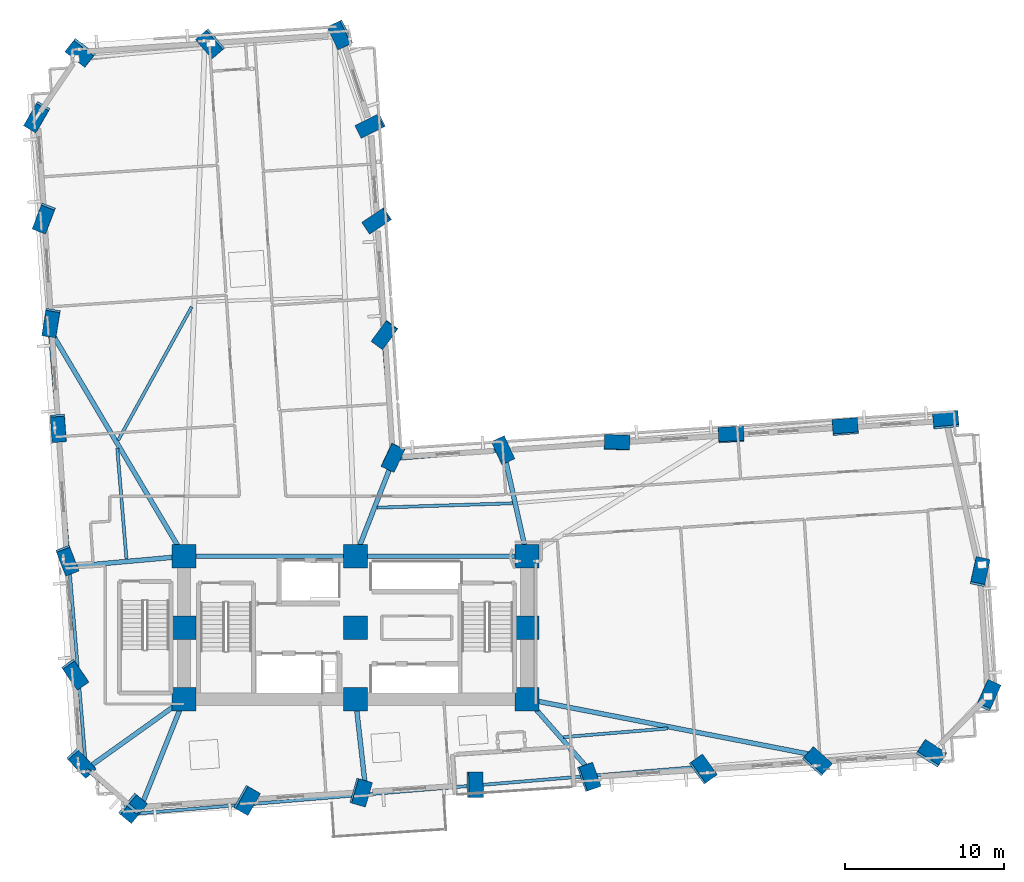
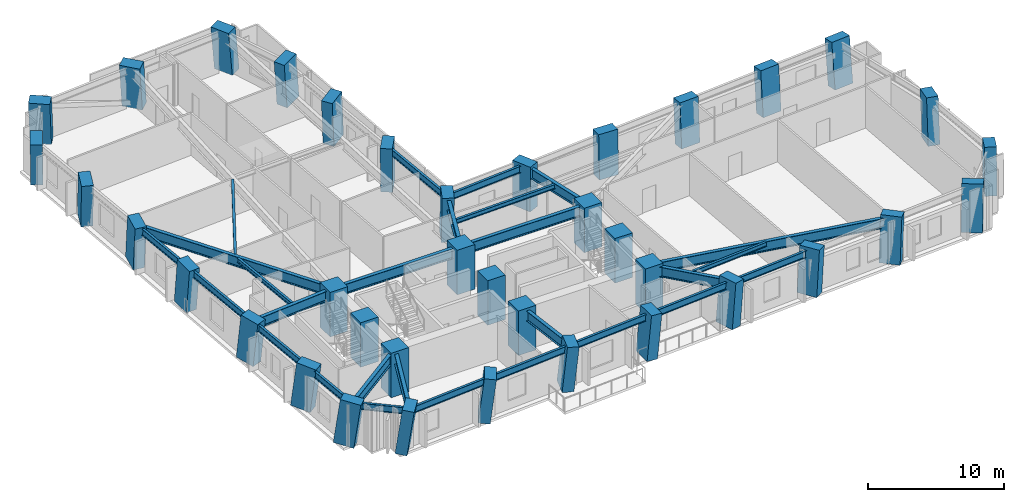
# One storey, part 1 of 14: 38 columns, 27 beams.
"""IFC4 building model written with IfcOpenShell, lengths in metres."""

import ifcopenshell
import ifcopenshell.guid

model = None  # the IFC model being written
_history = None  # IfcOwnerHistory: only IFC2X3 demands one
_inside = {}  # id of a spatial element -> (the spatial element, [elements in it])
_under = {}  # id of a project, library or spatial element -> (it, [spatial elements below it])
_declared = {}  # id of a project -> (the project, [libraries it declares])
_typed = {}  # id of a type object -> (the type object, [elements of that type])
_made_of = {}  # id of a material, layer set ... -> (it, [elements and type objects made of it])


def new_model(schema):
    """Start an empty IFC model of exactly this schema.

    Asked for "IFC4X3", IfcOpenShell would pick the latest addendum, in which some entities
    have other attributes; the version numbers below select the first issue.
    IFC2X3 requires an IfcOwnerHistory on every rooted entity: one is made here for all.
    """
    global model, _history
    if schema == "IFC4X3":
        model = ifcopenshell.file(schema_version=(4, 3, 0, 0))
    else:
        model = ifcopenshell.file(schema=schema)
    _inside.clear()
    _under.clear()
    _declared.clear()
    _typed.clear()
    _made_of.clear()
    _history = None
    if model.schema == "IFC2X3":
        org = make("IfcOrganization", Name="unknown")
        user = make(
            "IfcPersonAndOrganization",
            ThePerson=make("IfcPerson", FamilyName="unknown"),
            TheOrganization=org,
        )
        app = make(
            "IfcApplication",
            ApplicationDeveloper=org,
            Version="unknown",
            ApplicationFullName="unknown",
            ApplicationIdentifier="unknown",
        )
        _history = make(
            "IfcOwnerHistory",
            OwningUser=user,
            OwningApplication=app,
            ChangeAction="ADDED",
            CreationDate=0,
        )
    return model


def make(cls, **values):
    """One entity of the class cls with the attributes given. An attribute that is None is left unset."""
    return model.create_entity(
        cls, **{name: value for name, value in values.items() if value is not None}
    )


def rooted(cls, **values):
    """An entity with a GlobalId (a new one), such as an element, a storey or a relation."""
    return make(cls, GlobalId=ifcopenshell.guid.new(), OwnerHistory=_history, **values)


def si_unit(unit_type, name, prefix=None):
    """IfcSIUnit, for example si_unit("LENGTHUNIT", "METRE", prefix="MILLI")."""
    return make("IfcSIUnit", UnitType=unit_type, Prefix=prefix, Name=name)


def assignment(units):
    """IfcUnitAssignment: the units of a project."""
    return None if units is None else make("IfcUnitAssignment", Units=units)


def point(xyz):
    """IfcCartesianPoint."""
    return None if xyz is None else make("IfcCartesianPoint", Coordinates=xyz)


def direction(xyz):
    """IfcDirection."""
    return None if xyz is None else make("IfcDirection", DirectionRatios=xyz)


def frame(location, z_axis=None, x_axis=None):
    """IfcAxis2Placement3D, a coordinate frame: its origin and axes. An axis left out is left unset."""
    return make(
        "IfcAxis2Placement3D",
        Location=point(location),
        Axis=direction(z_axis),
        RefDirection=direction(x_axis),
    )


def frame_2d(location, x_axis=None):
    """IfcAxis2Placement2D, a coordinate frame in the plane: its origin and x axis."""
    return make(
        "IfcAxis2Placement2D", Location=point(location), RefDirection=direction(x_axis)
    )


def origin():
    """The frame at (0, 0, 0) with its axes left unset."""
    return frame((0.0, 0.0, 0.0))


def origin_2d():
    """The frame at (0, 0) in the plane with its x axis left unset."""
    return frame_2d((0.0, 0.0))


def place(relative_to, where):
    """IfcLocalPlacement: puts the frame where relative to a parent placement (None: the world)."""
    return make(
        "IfcLocalPlacement", PlacementRelTo=relative_to, RelativePlacement=where
    )


def context(
    kind, dimensions, precision=None, world=None, true_north=None, identifier=None
):
    """IfcGeometricRepresentationContext, for example the 3D "Model" context."""
    return make(
        "IfcGeometricRepresentationContext",
        ContextIdentifier=identifier,
        ContextType=kind,
        CoordinateSpaceDimension=dimensions,
        Precision=precision,
        WorldCoordinateSystem=world,
        TrueNorth=true_north,
    )


def subcontext(parent, identifier, kind, view, scale=None):
    """IfcGeometricRepresentationSubContext, for example "Body" below "Model"."""
    return make(
        "IfcGeometricRepresentationSubContext",
        ContextIdentifier=identifier,
        ContextType=kind,
        ParentContext=parent,
        TargetScale=scale,
        TargetView=view,
    )


def project(units=None, contexts=None):
    """IfcProject with its units and contexts."""
    return rooted(
        "IfcProject",
        Name="project",
        RepresentationContexts=contexts,
        UnitsInContext=assignment(units),
    )


def spatial(cls, under=None, at=None, **own):
    """A site, building, storey or space (cls), placed at a placement, below another one or the project."""
    s = rooted(cls, ObjectPlacement=at, **own)
    if under is not None:
        _under.setdefault(under.id(), (under, []))[1].append(s)
    return s


def profile(cls, at=None, kind="AREA", **sizes):
    """A parametric profile (cls). Its sizes go by their IFC names, for example OverallWidth=200.0."""
    return make(cls, ProfileType=kind, Position=at, **sizes)


def rectangle(**sizes):
    """IfcRectangleProfileDef."""
    return profile("IfcRectangleProfileDef", **sizes)


def i_section(**sizes):
    """IfcIShapeProfileDef."""
    return profile("IfcIShapeProfileDef", **sizes)


def extrude(swept, where, along, depth):
    """IfcExtrudedAreaSolid: the profile swept, set in the frame where, extruded along a direction by depth."""
    return make(
        "IfcExtrudedAreaSolid",
        SweptArea=swept,
        Position=where,
        ExtrudedDirection=direction(along),
        Depth=depth,
    )


def shape(context_of_items, identifier, shape_type, items):
    """IfcShapeRepresentation: the items that make up one representation, for example the "Body"."""
    return make(
        "IfcShapeRepresentation",
        ContextOfItems=context_of_items,
        RepresentationIdentifier=identifier,
        RepresentationType=shape_type,
        Items=items,
    )


def material(Name=None, Category=None):
    """IfcMaterial."""
    return make("IfcMaterial", Name=Name, Category=Category)


def material_profile(
    of_material, cross_section, Name=None, Category=None, Priority=None
):
    """IfcMaterialProfile: a cross section and its material."""
    return make(
        "IfcMaterialProfile",
        Name=Name,
        Material=of_material,
        Profile=cross_section,
        Priority=Priority,
        Category=Category,
    )


def profile_set(profiles, Name=None, composite=None):
    """IfcMaterialProfileSet."""
    return make(
        "IfcMaterialProfileSet",
        Name=Name,
        MaterialProfiles=profiles,
        CompositeProfile=composite,
    )


def made_of(thing, what):
    """Note that an element or type object is made of a material, layer set ...; save() writes the relation."""
    if what is not None:
        _made_of.setdefault(what.id(), (what, []))[1].append(thing)
    return thing


def type_object(cls, material=None, **own):
    """A type object (cls), such as IfcWallType, which elements share."""
    return made_of(rooted(cls, **own), material)


def element(
    cls,
    number,
    at=None,
    inside=None,
    cuts=None,
    type_object=None,
    material=None,
    context=None,
    identifier="Body",
    shape_type=None,
    held_by="IfcProductDefinitionShape",
    body=None,
    shapes=None,
    **own,
):
    """One element of the class cls, such as IfcWall. Its Tag is "e" and its number.

    at: its placement. inside: the storey or other place that contains it. cuts: it is an
    opening in that element (IfcRelVoidsElement). A single representation is given by context,
    identifier, shape_type and body (its items); several are given by shapes. held_by: the class
    of the entity that holds the representations. save() writes the other relations.
    """
    e = rooted(cls, Tag="e%d" % number, ObjectPlacement=at, **own)
    if body is not None:
        shapes = [shape(context, identifier, shape_type, body)]
    if shapes is not None:
        e.Representation = make(held_by, Representations=shapes)
    if inside is not None:
        _inside.setdefault(inside.id(), (inside, []))[1].append(e)
    if cuts is not None:
        rooted(
            "IfcRelVoidsElement", RelatingBuildingElement=cuts, RelatedOpeningElement=e
        )
    if type_object is not None:
        _typed.setdefault(type_object.id(), (type_object, []))[1].append(e)
    return made_of(e, material)


def aggregate(whole, parts):
    """IfcRelAggregates: a whole, such as a stair, and the parts it consists of."""
    return rooted("IfcRelAggregates", RelatingObject=whole, RelatedObjects=parts)


def save(model, path):
    """Write the relations noted so far, then the file.

    IfcRelAggregates (storeys below a building ...), IfcRelContainedInSpatialStructure (elements
    in a storey), IfcRelDefinesByType, IfcRelAssociatesMaterial and IfcRelDeclares: one each for
    every whole, place, type object, material and project.
    """
    for whole, parts in _under.values():
        aggregate(whole, parts)
    for where, things in _inside.values():
        rooted(
            "IfcRelContainedInSpatialStructure",
            RelatedElements=things,
            RelatingStructure=where,
        )
    for kind, things in _typed.values():
        rooted("IfcRelDefinesByType", RelatedObjects=things, RelatingType=kind)
    for what, things in _made_of.values():
        rooted("IfcRelAssociatesMaterial", RelatedObjects=things, RelatingMaterial=what)
    for by, libraries in _declared.values():
        rooted("IfcRelDeclares", RelatingContext=by, RelatedDefinitions=libraries)
    model.write(path)


model = new_model("IFC4")

# Units and contexts
model_context = context("Model", 3, precision=1e-05, world=origin(), true_north=direction((0.0, 1.0)))
body_context = subcontext(model_context, "Body", "Model", "MODEL_VIEW")
ifc_project = project(units=[si_unit("LENGTHUNIT", "METRE"), si_unit("AREAUNIT", "SQUARE_METRE"), si_unit("VOLUMEUNIT", "CUBIC_METRE"), si_unit("PLANEANGLEUNIT", "RADIAN"), si_unit("MASSUNIT", "GRAM", prefix="KILO")], contexts=[model_context])

# Site, building, storey
site_placement = place(None, origin())
site = spatial("IfcSite", under=ifc_project, at=site_placement, CompositionType="ELEMENT")
building_placement = place(site_placement, origin())
building = spatial("IfcBuilding", under=site, at=building_placement, Name="Gaonmaruhae Medical Tower", CompositionType="ELEMENT")
storey_placement = place(building_placement, frame((0.0, 0.0, 39.0)))
storey = spatial("IfcBuildingStorey", under=building, at=storey_placement, Name="L08", CompositionType="ELEMENT", Elevation=39.0)

# Columns
ifc_material_1 = material(Name="Concrete C60/75", Category="concrete")
ifc_material_profile_1 = material_profile(ifc_material_1, rectangle(XDim=1.5, YDim=1.5, at=origin_2d()), Name="RC-1500x1500")
ifc_profile_set_1 = profile_set([ifc_material_profile_1], Name="Concrete C60/75")
column_type_1 = type_object("IfcColumnType", Name="CC-02 Zone 1 Core Column (RC-1500x1500)", PredefinedType="COLUMN", material=ifc_profile_set_1)
for number, where, z_axis, x_axis, name in (
    (1, (14.0, 7.800048828125, 0.0), (0.0, 0.0, 1.0), (1.0, 0.0, 0.0), "L08 Plumb Core Column CC11"),
    (2, (14.0, 12.300048828125, 0.0), (0.0, 0.0, 1.0), (1.0, 0.0, 0.0), "L08 Plumb Core Column CC12"),
    (3, (14.0, 16.800048828125, 0.0), (0.0, 0.0, 1.0), (1.0, 0.0, 0.0), "L08 Plumb Core Column CC13"),
    (4, (24.800048828125, 7.800048828125, 0.0), (0.0, 0.0, 1.0), (1.0, 0.0, 0.0), "L08 Plumb Core Column CC21"),
    (5, (24.800048828125, 12.300048828125, 0.0), (0.0, 0.0, 1.0), (1.0, 0.0, 0.0), "L08 Plumb Core Column CC22"),
    (6, (24.800048828125, 16.800048828125, 0.0), (0.0, 0.0, 1.0), (1.0, 0.0, 0.0), "L08 Plumb Core Column CC23"),
    (7, (35.60009765625, 7.800048828125, 0.0), (0.0, 0.0, 1.0), (1.0, 0.0, 0.0), "L08 Plumb Core Column CC31"),
    (8, (35.60009765625, 12.300048828125, 0.0), (0.0, 0.0, 1.0), (1.0, 0.0, 0.0), "L08 Plumb Core Column CC32"),
    (9, (35.60009765625, 16.800048828125, 0.0), (0.0, 0.0, 1.0), (1.0, 0.0, 0.0), "L08 Plumb Core Column CC33"),
):
    element("IfcColumn", number, at=place(storey_placement, frame(where, z_axis=z_axis, x_axis=x_axis)), inside=storey, type_object=column_type_1, Name=name, PredefinedType="COLUMN", context=body_context, shape_type="SweptSolid", body=[
        extrude(rectangle(XDim=1.5, YDim=1.5, at=origin_2d()), origin(), (0.0, 0.0, 1.0), 4.0),
    ])
ifc_material_profile_2 = material_profile(ifc_material_1, rectangle(XDim=1.60009765625, YDim=0.89990234375, at=origin_2d()), Name="RC-1600x900")
ifc_profile_set_2 = profile_set([ifc_material_profile_2], Name="Concrete C60/75")
column_type_2 = type_object("IfcColumnType", Name="TC-01 Lower Raking Tube Pier Column (RC-1600x900)", PredefinedType="COLUMN", material=ifc_profile_set_2)
column_1_placement = place(storey_placement, frame((10.728515625, 0.981689453125, 0.001708984375), z_axis=(0.098591734447, -0.093144677296, 0.990759173054), x_axis=(0.637502184849, 0.770396108314, 0.008988915796)))
element("IfcColumn", 10, at=column_1_placement, inside=storey, type_object=column_type_2, Name="L08 Perimeter Tube Column S01", PredefinedType="COLUMN", context=body_context, shape_type="SweptSolid", body=[
    extrude(rectangle(XDim=1.60009765625, YDim=0.89990234375, at=origin_2d()), origin(), (0.0, 0.0, 1.0), 4.033935546875),
])
column_2_placement = place(storey_placement, frame((17.91259765625, 1.458984375, 0.001708984375), z_axis=(0.09659702151, -0.063831700144, 0.993274649577), x_axis=(0.495176794998, 0.868758344873, 0.007673324445)))
element("IfcColumn", 11, at=column_2_placement, inside=storey, type_object=column_type_2, Name="L08 Perimeter Tube Column S02", PredefinedType="COLUMN", context=body_context, shape_type="SweptSolid", body=[
    extrude(rectangle(XDim=1.60009765625, YDim=0.89990234375, at=origin_2d()), origin(), (0.0, 0.0, 1.0), 4.023681640625),
])
column_3_placement = place(storey_placement, frame((25.0966796875, 1.93603515625, 0.001708984375), z_axis=(0.094569811755, -0.034278517886, 0.994927903879), x_axis=(0.278032324808, 0.960548584785, 0.006666530508)))
element("IfcColumn", 12, at=column_3_placement, inside=storey, type_object=column_type_2, Name="L08 Perimeter Tube Column S03", PredefinedType="COLUMN", context=body_context, shape_type="SweptSolid", body=[
    extrude(rectangle(XDim=1.60009765625, YDim=0.89990234375, at=origin_2d()), origin(), (0.0, 0.0, 1.0), 4.016845703125),
])
column_4_placement = place(storey_placement, frame((32.281005859375, 2.413330078125, 0.001708984375), z_axis=(0.092393758049, -0.004683554555, 0.995711533422), x_axis=(-0.015390128493, 0.999862767014, 0.006131156887)))
element("IfcColumn", 13, at=column_4_placement, inside=storey, type_object=column_type_2, Name="L08 Perimeter Tube Column S04", PredefinedType="COLUMN", context=body_context, shape_type="SweptSolid", body=[
    extrude(rectangle(XDim=1.60009765625, YDim=0.89990234375, at=origin_2d()), origin(), (0.0, 0.0, 1.0), 4.013916015625),
])
column_5_placement = place(storey_placement, frame((39.465087890625, 2.890625, 0.001708984375), z_axis=(0.090195018347, 0.024935912018, 0.995611901776), x_axis=(-0.329481938967, 0.944141509201, 0.006201814094)))
element("IfcColumn", 14, at=column_5_placement, inside=storey, type_object=column_type_2, Name="L08 Perimeter Tube Column S05", PredefinedType="COLUMN", context=body_context, shape_type="SweptSolid", body=[
    extrude(rectangle(XDim=1.60009765625, YDim=0.89990234375, at=origin_2d()), origin(), (0.0, 0.0, 1.0), 4.01416015625),
])
column_6_placement = place(storey_placement, frame((46.649169921875, 3.36767578125, 0.001708984375), z_axis=(0.087918926178, 0.054561987359, 0.994632219444), x_axis=(-0.582154202885, 0.813049480392, 0.006857586938)))
element("IfcColumn", 15, at=column_6_placement, inside=storey, type_object=column_type_2, Name="L08 Perimeter Tube Column S06", PredefinedType="COLUMN", context=body_context, shape_type="SweptSolid", body=[
    extrude(rectangle(XDim=1.60009765625, YDim=0.89990234375, at=origin_2d()), origin(), (0.0, 0.0, 1.0), 4.01806640625),
])
column_7_placement = place(storey_placement, frame((53.83349609375, 3.844970703125, 0.001708984375), z_axis=(0.085512165831, 0.083995992678, 0.992790180607), x_axis=(-0.746152490945, 0.665727687724, 0.007943931871)))
element("IfcColumn", 16, at=column_7_placement, inside=storey, type_object=column_type_2, Name="L08 Perimeter Tube Column S07", PredefinedType="COLUMN", context=body_context, shape_type="SweptSolid", body=[
    extrude(rectangle(XDim=1.60009765625, YDim=0.89990234375, at=origin_2d()), origin(), (0.0, 0.0, 1.0), 4.025634765625),
])
column_8_placement = place(storey_placement, frame((61.017578125, 4.322265625, 0.001708984375), z_axis=(0.083102095213, 0.113222068587, 0.990088281395), x_axis=(-0.843211688946, 0.537501079101, 0.009307931615)))
element("IfcColumn", 17, at=column_8_placement, inside=storey, type_object=column_type_2, Name="L08 Perimeter Tube Column S08", PredefinedType="COLUMN", context=body_context, shape_type="SweptSolid", body=[
    extrude(rectangle(XDim=1.60009765625, YDim=0.89990234375, at=origin_2d()), origin(), (0.0, 0.0, 1.0), 4.03662109375),
])
column_9_placement = place(storey_placement, frame((64.6337890625, 7.969970703125, 0.001708984375), z_axis=(0.067938851582, 0.127838675352, 0.989465302843), x_axis=(-0.404799961603, -0.902923380354, 0.144451930745)))
element("IfcColumn", 18, at=column_9_placement, inside=storey, type_object=column_type_2, Name="L08 Perimeter Tube Column E01", PredefinedType="COLUMN", context=body_context, shape_type="SweptSolid", body=[
    extrude(rectangle(XDim=1.60009765625, YDim=0.89990234375, at=origin_2d()), origin(), (0.0, 0.0, 1.0), 4.0390625),
])
column_10_placement = place(storey_placement, frame((64.11669921875, 15.752685546875, 0.001708984375), z_axis=(0.036155726084, 0.125727449498, 0.991405755437), x_axis=(-0.209701379311, -0.969012835214, 0.130535269967)))
element("IfcColumn", 19, at=column_10_placement, inside=storey, type_object=column_type_2, Name="L08 Perimeter Tube Column E02", PredefinedType="COLUMN", context=body_context, shape_type="SweptSolid", body=[
    extrude(rectangle(XDim=1.60009765625, YDim=0.89990234375, at=origin_2d()), origin(), (0.0, 0.0, 1.0), 4.03125),
])
column_11_placement = place(storey_placement, frame((61.97705078125, 25.33203125, 0.001708984375), z_axis=(-0.003154789088, 0.116787865274, 0.99315187249), x_axis=(-0.995660271047, -0.092739816364, 0.007742810776)))
element("IfcColumn", 20, at=column_11_placement, inside=storey, type_object=column_type_2, Name="L08 Perimeter Tube Column E03", PredefinedType="COLUMN", context=body_context, shape_type="SweptSolid", body=[
    extrude(rectangle(XDim=1.60009765625, YDim=0.89990234375, at=origin_2d()), origin(), (0.0, 0.0, 1.0), 4.024169921875),
])
column_12_placement = place(storey_placement, frame((55.64111328125, 24.9111328125, 0.001708984375), z_axis=(-0.001216676206, 0.091007380225, 0.995849474792), x_axis=(-0.996830053403, -0.079331331611, 0.006031953025)))
element("IfcColumn", 21, at=column_12_placement, inside=storey, type_object=column_type_2, Name="L08 Perimeter Tube Column EN01", PredefinedType="COLUMN", context=body_context, shape_type="SweptSolid", body=[
    extrude(rectangle(XDim=1.60009765625, YDim=0.89990234375, at=origin_2d()), origin(), (0.0, 0.0, 1.0), 4.01318359375),
])
column_13_placement = place(storey_placement, frame((48.45703125, 24.433837890625, 0.001708984375), z_axis=(0.000975545854, 0.061520360422, 0.998105351936), x_axis=(-0.998724842729, -0.050319586866, 0.004077706819)))
element("IfcColumn", 22, at=column_13_placement, inside=storey, type_object=column_type_2, Name="L08 Perimeter Tube Column EN02", PredefinedType="COLUMN", context=body_context, shape_type="SweptSolid", body=[
    extrude(rectangle(XDim=1.60009765625, YDim=0.89990234375, at=origin_2d()), origin(), (0.0, 0.0, 1.0), 4.004150390625),
])
column_14_placement = place(storey_placement, frame((41.272705078125, 23.956787109375, 0.001708984375), z_axis=(0.003235974371, 0.031810238631, 0.999488687874), x_axis=(-0.999382165175, 0.035082723346, 0.002119068778)))
element("IfcColumn", 23, at=column_14_placement, inside=storey, type_object=column_type_2, Name="L08 Perimeter Tube Column EN03", PredefinedType="COLUMN", context=body_context, shape_type="SweptSolid", body=[
    extrude(rectangle(XDim=1.60009765625, YDim=0.89990234375, at=origin_2d()), origin(), (0.0, 0.0, 1.0), 3.99853515625),
])
column_15_placement = place(storey_placement, frame((34.088623046875, 23.4794921875, 0.001708984375), z_axis=(0.005436682512, 0.002076934892, 0.999983064269), x_axis=(-0.417992563266, 0.90845036644, 0.000385707127)))
element("IfcColumn", 24, at=column_15_placement, inside=storey, type_object=column_type_2, Name="L08 Perimeter Tube Column EN04", PredefinedType="COLUMN", context=body_context, shape_type="SweptSolid", body=[
    extrude(rectangle(XDim=1.60009765625, YDim=0.89990234375, at=origin_2d()), origin(), (0.0, 0.0, 1.0), 3.99658203125),
])
column_16_placement = place(storey_placement, frame((27.15380859375, 23.018798828125, 0.001708984375), z_axis=(0.007632990073, -0.026623869374, 0.999616379939), x_axis=(0.425899087039, 0.904530648849, 0.020839216678)))
element("IfcColumn", 25, at=column_16_placement, inside=storey, type_object=column_type_2, Name="L08 Perimeter Tube Column KN01", PredefinedType="COLUMN", context=body_context, shape_type="SweptSolid", body=[
    extrude(rectangle(XDim=1.60009765625, YDim=0.89990234375, at=origin_2d()), origin(), (0.0, 0.0, 1.0), 3.998046875),
])
column_17_placement = place(storey_placement, frame((26.64013671875, 30.751708984375, 0.001708984375), z_axis=(-0.024417379694, -0.028995638386, 0.999281263971), x_axis=(0.591563998635, 0.805370344302, 0.037823855406)))
element("IfcColumn", 26, at=column_17_placement, inside=storey, type_object=column_type_2, Name="L08 Perimeter Tube Column NE01", PredefinedType="COLUMN", context=body_context, shape_type="SweptSolid", body=[
    extrude(rectangle(XDim=1.60009765625, YDim=0.89990234375, at=origin_2d()), origin(), (0.0, 0.0, 1.0), 3.99951171875),
])
column_18_placement = place(storey_placement, frame((26.1630859375, 37.93603515625, 0.001708984375), z_axis=(-0.054139539423, -0.031215590298, 0.998045338245), x_axis=(0.829617607898, 0.554838963776, 0.062356627078)))
element("IfcColumn", 27, at=column_18_placement, inside=storey, type_object=column_type_2, Name="L08 Perimeter Tube Column NE02", PredefinedType="COLUMN", context=body_context, shape_type="SweptSolid", body=[
    extrude(rectangle(XDim=1.60009765625, YDim=0.89990234375, at=origin_2d()), origin(), (0.0, 0.0, 1.0), 4.00439453125),
])
column_19_placement = place(storey_placement, frame((25.765380859375, 43.9228515625, 0.001708984375), z_axis=(-0.078697694353, -0.033049379763, 0.996350546445), x_axis=(0.890951953445, 0.446039267367, 0.08516800232)))
element("IfcColumn", 28, at=column_19_placement, inside=storey, type_object=column_type_2, Name="L08 Perimeter Tube Column NE03", PredefinedType="COLUMN", context=body_context, shape_type="SweptSolid", body=[
    extrude(rectangle(XDim=1.60009765625, YDim=0.89990234375, at=origin_2d()), origin(), (0.0, 0.0, 1.0), 4.01123046875),
])
column_20_placement = place(storey_placement, frame((23.880859375, 49.660400390625, 0.001708984375), z_axis=(-0.102065358424, -0.040862573599, 0.993938082925), x_axis=(0.432012401952, -0.901838231222, 0.007286238123)))
element("IfcColumn", 29, at=column_20_placement, inside=storey, type_object=column_type_2, Name="L08 Perimeter Tube Column N01", PredefinedType="COLUMN", context=body_context, shape_type="SweptSolid", body=[
    extrude(rectangle(XDim=1.60009765625, YDim=0.89990234375, at=origin_2d()), origin(), (0.0, 0.0, 1.0), 4.02099609375),
])
column_21_placement = place(storey_placement, frame((15.698974609375, 49.116943359375, 0.001708984375), z_axis=(-0.099407727079, -0.074434566374, 0.992258836759), x_axis=(0.650696804167, -0.759293046403, 0.008230354175)))
element("IfcColumn", 30, at=column_21_placement, inside=storey, type_object=column_type_2, Name="L08 Perimeter Tube Column N02", PredefinedType="COLUMN", context=body_context, shape_type="SweptSolid", body=[
    extrude(rectangle(XDim=1.60009765625, YDim=0.89990234375, at=origin_2d()), origin(), (0.0, 0.0, 1.0), 4.02783203125),
])
column_22_placement = place(storey_placement, frame((7.516845703125, 48.573486328125, 0.001708984375), z_axis=(-0.096589910921, -0.107772097103, 0.989472366564), x_axis=(0.786813433781, -0.617116380957, 0.009591286496)))
element("IfcColumn", 31, at=column_22_placement, inside=storey, type_object=column_type_2, Name="L08 Perimeter Tube Column N03", PredefinedType="COLUMN", context=body_context, shape_type="SweptSolid", body=[
    extrude(rectangle(XDim=1.60009765625, YDim=0.89990234375, at=origin_2d()), origin(), (0.0, 0.0, 1.0), 4.0390625),
])
column_23_placement = place(storey_placement, frame((4.77880859375, 44.532958984375, 0.001708984375), z_axis=(-0.079984869676, -0.118858846397, 0.989684290699), x_axis=(0.496340655848, 0.856277466215, 0.142950530621)))
element("IfcColumn", 32, at=column_23_placement, inside=storey, type_object=column_type_2, Name="L08 Perimeter Tube Column W01", PredefinedType="COLUMN", context=body_context, shape_type="SweptSolid", body=[
    extrude(rectangle(XDim=1.60009765625, YDim=0.89990234375, at=origin_2d()), origin(), (0.0, 0.0, 1.0), 4.038330078125),
])
column_24_placement = place(storey_placement, frame((5.202880859375, 38.147216796875, 0.001708984375), z_axis=(-0.053913337172, -0.117216075763, 0.991641943273), x_axis=(0.353252899311, 0.92662789024, 0.128736716433)))
element("IfcColumn", 33, at=column_24_placement, inside=storey, type_object=column_type_2, Name="L08 Perimeter Tube Column W02", PredefinedType="COLUMN", context=body_context, shape_type="SweptSolid", body=[
    extrude(rectangle(XDim=1.60009765625, YDim=0.89990234375, at=origin_2d()), origin(), (0.0, 0.0, 1.0), 4.0302734375),
])
column_25_placement = place(storey_placement, frame((5.640380859375, 31.561767578125, 0.001708984375), z_axis=(-0.026871346322, -0.115310224283, 0.992966002904), x_axis=(0.160317923428, 0.979970009184, 0.118139512983)))
element("IfcColumn", 34, at=column_25_placement, inside=storey, type_object=column_type_2, Name="L08 Perimeter Tube Column W03", PredefinedType="COLUMN", context=body_context, shape_type="SweptSolid", body=[
    extrude(rectangle(XDim=1.60009765625, YDim=0.89990234375, at=origin_2d()), origin(), (0.0, 0.0, 1.0), 4.02490234375),
])
column_26_placement = place(storey_placement, frame((6.0810546875, 24.92626953125, 0.001708984375), z_axis=(0.000424857224, -0.113315491116, 0.993558966025), x_axis=(-0.069990399441, 0.991119146086, 0.113067158127)))
element("IfcColumn", 35, at=column_26_placement, inside=storey, type_object=column_type_2, Name="L08 Perimeter Tube Column W04", PredefinedType="COLUMN", context=body_context, shape_type="SweptSolid", body=[
    extrude(rectangle(XDim=1.60009765625, YDim=0.89990234375, at=origin_2d()), origin(), (0.0, 0.0, 1.0), 4.0224609375),
])
column_27_placement = place(storey_placement, frame((6.634521484375, 16.5947265625, 0.001708984375), z_axis=(0.034705906907, -0.110731258927, 0.993244223906), x_axis=(-0.359645562246, 0.925877045432, 0.115787591296)))
element("IfcColumn", 36, at=column_27_placement, inside=storey, type_object=column_type_2, Name="L08 Perimeter Tube Column W05", PredefinedType="COLUMN", context=body_context, shape_type="SweptSolid", body=[
    extrude(rectangle(XDim=1.60009765625, YDim=0.89990234375, at=origin_2d()), origin(), (0.0, 0.0, 1.0), 4.023681640625),
])
column_28_placement = place(storey_placement, frame((7.11181640625, 9.410400390625, 0.001708984375), z_axis=(0.064176476258, -0.108354617137, 0.992038636768), x_axis=(-0.561458553603, 0.817908679076, 0.125657014444)))
element("IfcColumn", 37, at=column_28_placement, inside=storey, type_object=column_type_2, Name="L08 Perimeter Tube Column W06", PredefinedType="COLUMN", context=body_context, shape_type="SweptSolid", body=[
    extrude(rectangle(XDim=1.60009765625, YDim=0.89990234375, at=origin_2d()), origin(), (0.0, 0.0, 1.0), 4.028564453125),
])
column_29_placement = place(storey_placement, frame((7.48291015625, 3.82275390625, 0.001708984375), z_axis=(0.087009038611, -0.106492286478, 0.990499278203), x_axis=(-0.67664323732, 0.723412615151, 0.137215588145)))
element("IfcColumn", 38, at=column_29_placement, inside=storey, type_object=column_type_2, Name="L08 Perimeter Tube Column W07", PredefinedType="COLUMN", context=body_context, shape_type="SweptSolid", body=[
    extrude(rectangle(XDim=1.60009765625, YDim=0.89990234375, at=origin_2d()), origin(), (0.0, 0.0, 1.0), 4.034912109375),
])

# Beams
ifc_material_2 = material(Name="Steel SM355", Category="steel")
ifc_material_profile_3 = material_profile(ifc_material_2, i_section(OverallWidth=0.199951171875, OverallDepth=0.39990234375, WebThickness=0.008056640625, FlangeThickness=0.012939453125, FilletRadius=0.012939453125, at=origin_2d()), Name="H-400x200x8x13")
ifc_profile_set_3 = profile_set([ifc_material_profile_3], Name="Steel SM355")
beam_type_1 = type_object("IfcBeamType", Name="FJ-01 Lower Zone Ward Floor Joist (H-400x200x8x13)", PredefinedType="JOIST", material=ifc_profile_set_3)
beam_1_placement = place(storey_placement, frame((37.90576171875, 5.411376953125, 3.580078125), z_axis=(0.996565099932, 0.082813052097, 0.0), x_axis=(-0.082813052097, 0.996565099932, 0.0)))
element("IfcBeam", 39, at=beam_1_placement, inside=storey, type_object=beam_type_1, Name="L08 Secondary Floor Joist FJ03", PredefinedType="JOIST", context=body_context, shape_type="SweptSolid", body=[
    extrude(i_section(OverallWidth=0.199951171875, OverallDepth=0.39990234375, WebThickness=0.008056640625, FlangeThickness=0.012939453125, FilletRadius=0.012939453125, at=origin_2d()), origin(), (0.0, 0.0, 1.0), 6.606689453125),
])
beam_2_placement = place(storey_placement, frame((34.696533203125, 20.138671875, 3.580078125), z_axis=(-0.999473436316, -0.032447651675, 0.0), x_axis=(0.032447651675, -0.999473436316, 0.0)))
element("IfcBeam", 40, at=beam_2_placement, inside=storey, type_object=beam_type_1, Name="L08 Secondary Floor Joist FJ06", PredefinedType="JOIST", context=body_context, shape_type="SweptSolid", body=[
    extrude(i_section(OverallWidth=0.199951171875, OverallDepth=0.39990234375, WebThickness=0.008056640625, FlangeThickness=0.012939453125, FilletRadius=0.012939453125, at=origin_2d()), origin(), (0.0, 0.0, 1.0), 8.539794921875),
])
beam_3_placement = place(storey_placement, frame((14.484130859375, 32.50927734375, 3.580078125), z_axis=(-0.48268243071, -0.875795450481, 0.0), x_axis=(0.875795450481, -0.48268243071, 0.0)))
element("IfcBeam", 41, at=beam_3_placement, inside=storey, type_object=beam_type_1, Name="L08 Secondary Floor Joist FJ09", PredefinedType="JOIST", context=body_context, shape_type="SweptSolid", body=[
    extrude(i_section(OverallWidth=0.199951171875, OverallDepth=0.39990234375, WebThickness=0.008056640625, FlangeThickness=0.012939453125, FilletRadius=0.012939453125, at=origin_2d()), origin(), (0.0, 0.0, 1.0), 9.594482421875),
])
beam_4_placement = place(storey_placement, frame((9.794921875, 23.600341796875, 3.580078125), z_axis=(0.082828828095, -0.996563788845, 0.0), x_axis=(0.996563788845, 0.082828828095, 0.0)))
element("IfcBeam", 42, at=beam_4_placement, inside=storey, type_object=beam_type_1, Name="L08 Secondary Floor Joist FJ10", PredefinedType="JOIST", context=body_context, shape_type="SweptSolid", body=[
    extrude(i_section(OverallWidth=0.199951171875, OverallDepth=0.39990234375, WebThickness=0.008056640625, FlangeThickness=0.012939453125, FilletRadius=0.012939453125, at=origin_2d()), origin(), (0.0, 0.0, 1.0), 6.994384765625),
])
ifc_material_3 = material(Name="Steel SM420", Category="steel")
ifc_material_profile_4 = material_profile(ifc_material_3, i_section(OverallWidth=0.300048828125, OverallDepth=0.89990234375, WebThickness=0.01611328125, FlangeThickness=0.028076171875, FilletRadius=0.01806640625, at=origin_2d()), Name="H-900x300x16x28")
ifc_profile_set_4 = profile_set([ifc_material_profile_4], Name="Steel SM420")
beam_type_2 = type_object("IfcBeamType", Name="PG-01 Zone 1 Radial Floor Girder (H-900x300x16x28)", PredefinedType="BEAM", material=ifc_profile_set_4)
for number, where, z_axis, x_axis, name in (
    (43, (14.050048828125, 16.800048828125, 3.330078125), (1.0, 0.0, 0.0), (0.0, 1.0, 0.0), "L08 Beam BM-L08-CG-N1"),
    (44, (24.85009765625, 16.800048828125, 3.330078125), (1.0, 0.0, 0.0), (0.0, 1.0, 0.0), "L08 Beam BM-L08-CG-N2"),
):
    element("IfcBeam", number, at=place(storey_placement, frame(where, z_axis=z_axis, x_axis=x_axis)), inside=storey, type_object=beam_type_2, Name=name, PredefinedType="BEAM", context=body_context, shape_type="SweptSolid", body=[
        extrude(i_section(OverallWidth=0.300048828125, OverallDepth=0.89990234375, WebThickness=0.01611328125, FlangeThickness=0.028076171875, FilletRadius=0.01806640625, at=origin_2d()), origin(), (0.0, 0.0, 1.0), 10.699951171875),
    ])
beam_5_placement = place(storey_placement, frame((13.9814453125, 7.753662109375, 3.330078125), z_axis=(-0.370955772597, -0.928650534257, 0.0), x_axis=(0.928650534257, -0.370955772597, 0.0)))
element("IfcBeam", 45, at=beam_5_placement, inside=storey, type_object=beam_type_2, Name="L08 Radial Primary Girder S01", PredefinedType="BEAM", context=body_context, shape_type="SweptSolid", body=[
    extrude(i_section(OverallWidth=0.300048828125, OverallDepth=0.89990234375, WebThickness=0.01611328125, FlangeThickness=0.028076171875, FilletRadius=0.01806640625, at=origin_2d()), origin(), (0.0, 0.0, 1.0), 7.64697265625),
])
beam_6_placement = place(storey_placement, frame((24.8056640625, 7.750244140625, 3.330078125), z_axis=(0.112046422293, -0.993702973353, 0.0), x_axis=(0.993702973353, 0.112046422293, 0.0)))
element("IfcBeam", 46, at=beam_6_placement, inside=storey, type_object=beam_type_2, Name="L08 Radial Primary Girder S03", PredefinedType="BEAM", context=body_context, shape_type="SweptSolid", body=[
    extrude(i_section(OverallWidth=0.300048828125, OverallDepth=0.89990234375, WebThickness=0.01611328125, FlangeThickness=0.028076171875, FilletRadius=0.01806640625, at=origin_2d()), origin(), (0.0, 0.0, 1.0), 5.939697265625),
])
beam_7_placement = place(storey_placement, frame((35.633056640625, 7.762451171875, 3.31005859375), z_axis=(0.660211295348, -0.751079919513, 0.0), x_axis=(0.751079919513, 0.660211295348, 0.0)))
element("IfcBeam", 47, at=beam_7_placement, inside=storey, type_object=beam_type_2, Name="L08 Radial Primary Girder S05", PredefinedType="BEAM", context=body_context, shape_type="SweptSolid", body=[
    extrude(i_section(OverallWidth=0.300048828125, OverallDepth=0.89990234375, WebThickness=0.01611328125, FlangeThickness=0.028076171875, FilletRadius=0.01806640625, at=origin_2d()), origin(), (0.0, 0.0, 1.0), 6.302978515625),
])
beam_8_placement = place(storey_placement, frame((35.649169921875, 7.79052734375, 3.330078125), z_axis=(0.981571832819, -0.1910935295, 0.0), x_axis=(0.1910935295, 0.981571832819, 0.0)))
element("IfcBeam", 48, at=beam_8_placement, inside=storey, type_object=beam_type_2, Name="L08 Radial Primary Girder S07", PredefinedType="BEAM", context=body_context, shape_type="SweptSolid", body=[
    extrude(i_section(OverallWidth=0.300048828125, OverallDepth=0.89990234375, WebThickness=0.01611328125, FlangeThickness=0.028076171875, FilletRadius=0.01806640625, at=origin_2d()), origin(), (0.0, 0.0, 1.0), 18.82666015625),
])
beam_9_placement = place(storey_placement, frame((35.589111328125, 16.848876953125, 3.330078125), z_axis=(-0.217397542886, 0.976083146226, 0.0), x_axis=(-0.976083146226, -0.217397542886, 0.0)))
element("IfcBeam", 49, at=beam_9_placement, inside=storey, type_object=beam_type_2, Name="L08 Radial Primary Girder EN04", PredefinedType="BEAM", context=body_context, shape_type="SweptSolid", body=[
    extrude(i_section(OverallWidth=0.300048828125, OverallDepth=0.89990234375, WebThickness=0.01611328125, FlangeThickness=0.028076171875, FilletRadius=0.01806640625, at=origin_2d()), origin(), (0.0, 0.0, 1.0), 6.75146484375),
])
beam_10_placement = place(storey_placement, frame((24.818115234375, 16.8466796875, 3.330078125), z_axis=(0.363408906462, 0.931629736915, 0.0), x_axis=(-0.931629736915, 0.363408906462, 0.0)))
element("IfcBeam", 50, at=beam_10_placement, inside=storey, type_object=beam_type_2, Name="L08 Radial Primary Girder KN01", PredefinedType="BEAM", context=body_context, shape_type="SweptSolid", body=[
    extrude(i_section(OverallWidth=0.300048828125, OverallDepth=0.89990234375, WebThickness=0.01611328125, FlangeThickness=0.028076171875, FilletRadius=0.01806640625, at=origin_2d()), origin(), (0.0, 0.0, 1.0), 6.460693359375),
])
beam_11_placement = place(storey_placement, frame((13.974609375, 16.843017578125, 3.330078125), z_axis=(-0.509596549418, 0.860413480149, 0.0), x_axis=(-0.860413480149, -0.509596549418, 0.0)))
element("IfcBeam", 51, at=beam_11_placement, inside=storey, type_object=beam_type_2, Name="L08 Radial Primary Girder W03", PredefinedType="BEAM", context=body_context, shape_type="SweptSolid", body=[
    extrude(i_section(OverallWidth=0.300048828125, OverallDepth=0.89990234375, WebThickness=0.01611328125, FlangeThickness=0.028076171875, FilletRadius=0.01806640625, at=origin_2d()), origin(), (0.0, 0.0, 1.0), 16.51708984375),
])
beam_12_placement = place(storey_placement, frame((13.9501953125, 16.79541015625, 3.330078125), z_axis=(-0.995965325449, -0.089738901844, 0.0), x_axis=(0.089738901844, -0.995965325449, 0.0)))
element("IfcBeam", 52, at=beam_12_placement, inside=storey, type_object=beam_type_2, Name="L08 Radial Primary Girder W05", PredefinedType="BEAM", context=body_context, shape_type="SweptSolid", body=[
    extrude(i_section(OverallWidth=0.300048828125, OverallDepth=0.89990234375, WebThickness=0.01611328125, FlangeThickness=0.028076171875, FilletRadius=0.01806640625, at=origin_2d()), origin(), (0.0, 0.0, 1.0), 7.155029296875),
])
beam_13_placement = place(storey_placement, frame((13.959228515625, 7.77099609375, 3.330078125), z_axis=(-0.813539329821, -0.581509895732, 0.0), x_axis=(0.581509895732, -0.813539329821, 0.0)))
element("IfcBeam", 53, at=beam_13_placement, inside=storey, type_object=beam_type_2, Name="L08 Radial Primary Girder W07", PredefinedType="BEAM", context=body_context, shape_type="SweptSolid", body=[
    extrude(i_section(OverallWidth=0.300048828125, OverallDepth=0.89990234375, WebThickness=0.01611328125, FlangeThickness=0.028076171875, FilletRadius=0.01806640625, at=origin_2d()), origin(), (0.0, 0.0, 1.0), 7.47900390625),
])
ifc_material_profile_5 = material_profile(ifc_material_2, i_section(OverallWidth=0.199951171875, OverallDepth=0.60009765625, WebThickness=0.010986328125, FlangeThickness=0.01708984375, FilletRadius=0.012939453125, at=origin_2d()), Name="H-600x200x11x17")
ifc_profile_set_5 = profile_set([ifc_material_profile_5], Name="Steel SM355")
beam_type_3 = type_object("IfcBeamType", Name="SP-01 Lower Perimeter Spandrel Beam (H-600x200x11x17)", PredefinedType="SPANDREL", material=ifc_profile_set_5)
beam_14_placement = place(storey_placement, frame((11.166259765625, 0.609130859375, 3.47998046875), z_axis=(0.996565358382, 0.082809941867, 0.0), x_axis=(-0.082809941867, 0.996565358382, 0.0)))
element("IfcBeam", 54, at=beam_14_placement, inside=storey, type_object=beam_type_3, Name="L08 Perimeter Spandrel Beam S01-S02", PredefinedType="SPANDREL", context=body_context, shape_type="SweptSolid", body=[
    extrude(i_section(OverallWidth=0.199951171875, OverallDepth=0.60009765625, WebThickness=0.010986328125, FlangeThickness=0.01708984375, FilletRadius=0.012939453125, at=origin_2d()), origin(), (0.0, 0.0, 1.0), 7.119873046875),
])
for number, where, z_axis, x_axis, name in (
    (55, (18.34130859375, 1.205322265625, 3.47998046875), (0.996565593512, 0.082807112178, 0.0), (-0.082807112178, 0.996565593512, 0.0), "L08 Perimeter Spandrel Beam S02-S03"),
    (56, (25.5166015625, 1.8017578125, 3.47998046875), (0.996565593512, 0.082807112178, 0.0), (-0.082807112178, 0.996565593512, 0.0), "L08 Perimeter Spandrel Beam S03-S04"),
    (57, (32.69189453125, 2.39794921875, 3.4599609375), (0.996565593512, 0.082807112178, 0.0), (-0.082807112178, 0.996565593512, 0.0), "L08 Perimeter Spandrel Beam S04-S05"),
    (58, (39.8671875, 2.994140625, 3.4599609375), (0.996565593512, 0.082807112178, 0.0), (-0.082807112178, 0.996565593512, 0.0), "L08 Perimeter Spandrel Beam S05-S06"),
):
    element("IfcBeam", number, at=place(storey_placement, frame(where, z_axis=z_axis, x_axis=x_axis)), inside=storey, type_object=beam_type_3, Name=name, PredefinedType="SPANDREL", context=body_context, shape_type="SweptSolid", body=[
        extrude(i_section(OverallWidth=0.199951171875, OverallDepth=0.60009765625, WebThickness=0.010986328125, FlangeThickness=0.01708984375, FilletRadius=0.012939453125, at=origin_2d()), origin(), (0.0, 0.0, 1.0), 7.1201171875),
    ])
beam_15_placement = place(storey_placement, frame((34.070556640625, 23.484375, 3.47998046875), z_axis=(-0.996566070258, -0.08280137445, 0.0), x_axis=(0.08280137445, -0.996566070258, 0.0)))
element("IfcBeam", 59, at=beam_15_placement, inside=storey, type_object=beam_type_3, Name="L08 Perimeter Spandrel Beam EN04-KN01", PredefinedType="SPANDREL", context=body_context, shape_type="SweptSolid", body=[
    extrude(i_section(OverallWidth=0.199951171875, OverallDepth=0.60009765625, WebThickness=0.010986328125, FlangeThickness=0.01708984375, FilletRadius=0.012939453125, at=origin_2d()), origin(), (0.0, 0.0, 1.0), 6.8701171875),
])
beam_16_placement = place(storey_placement, frame((27.180908203125, 22.9521484375, 3.47998046875), z_axis=(-0.082792584903, 0.996566800513, 0.0), x_axis=(-0.996566800513, -0.082792584903, 0.0)))
element("IfcBeam", 60, at=beam_16_placement, inside=storey, type_object=beam_type_3, Name="L08 Perimeter Spandrel Beam KN01-NE01", PredefinedType="SPANDREL", context=body_context, shape_type="SweptSolid", body=[
    extrude(i_section(OverallWidth=0.199951171875, OverallDepth=0.60009765625, WebThickness=0.010986328125, FlangeThickness=0.01708984375, FilletRadius=0.012939453125, at=origin_2d()), origin(), (0.0, 0.0, 1.0), 7.669921875),
])
beam_17_placement = place(storey_placement, frame((5.535400390625, 31.0576171875, 3.47998046875), z_axis=(0.082827137423, -0.996563929362, 0.0), x_axis=(0.996563929362, 0.082827137423, 0.0)))
element("IfcBeam", 61, at=beam_17_placement, inside=storey, type_object=beam_type_3, Name="L08 Perimeter Spandrel Beam W03-W04", PredefinedType="SPANDREL", context=body_context, shape_type="SweptSolid", body=[
    extrude(i_section(OverallWidth=0.199951171875, OverallDepth=0.60009765625, WebThickness=0.010986328125, FlangeThickness=0.01708984375, FilletRadius=0.012939453125, at=origin_2d()), origin(), (0.0, 0.0, 1.0), 6.570068359375),
])
beam_18_placement = place(storey_placement, frame((6.086181640625, 24.430419921875, 3.47998046875), z_axis=(0.082806052985, -0.996565681523, 0.0), x_axis=(0.996565681523, 0.082806052985, 0.0)))
element("IfcBeam", 62, at=beam_18_placement, inside=storey, type_object=beam_type_3, Name="L08 Perimeter Spandrel Beam W04-W05", PredefinedType="SPANDREL", context=body_context, shape_type="SweptSolid", body=[
    extrude(i_section(OverallWidth=0.199951171875, OverallDepth=0.60009765625, WebThickness=0.010986328125, FlangeThickness=0.01708984375, FilletRadius=0.012939453125, at=origin_2d()), origin(), (0.0, 0.0, 1.0), 8.27001953125),
])
beam_19_placement = place(storey_placement, frame((6.777587890625, 16.109130859375, 3.47998046875), z_axis=(0.082807112178, -0.996565593512, 0.0), x_axis=(0.996565593512, 0.082807112178, 0.0)))
element("IfcBeam", 63, at=beam_19_placement, inside=storey, type_object=beam_type_3, Name="L08 Perimeter Spandrel Beam W05-W06", PredefinedType="SPANDREL", context=body_context, shape_type="SweptSolid", body=[
    extrude(i_section(OverallWidth=0.199951171875, OverallDepth=0.60009765625, WebThickness=0.010986328125, FlangeThickness=0.01708984375, FilletRadius=0.012939453125, at=origin_2d()), origin(), (0.0, 0.0, 1.0), 7.1201171875),
])
beam_20_placement = place(storey_placement, frame((7.373779296875, 8.933837890625, 3.47998046875), z_axis=(0.082792925822, -0.99656677219, 0.0), x_axis=(0.99656677219, 0.082792925822, 0.0)))
element("IfcBeam", 64, at=beam_20_placement, inside=storey, type_object=beam_type_3, Name="L08 Perimeter Spandrel Beam W06-W07", PredefinedType="SPANDREL", context=body_context, shape_type="SweptSolid", body=[
    extrude(i_section(OverallWidth=0.199951171875, OverallDepth=0.60009765625, WebThickness=0.010986328125, FlangeThickness=0.01708984375, FilletRadius=0.012939453125, at=origin_2d()), origin(), (0.0, 0.0, 1.0), 5.520263671875),
])
beam_21_placement = place(storey_placement, frame((7.86474609375, 3.366943359375, 3.47998046875), z_axis=(0.763244073173, -0.646110272915, 0.0), x_axis=(0.646110272915, 0.763244073173, 0.0)))
element("IfcBeam", 65, at=beam_21_placement, inside=storey, type_object=beam_type_3, Name="L08 Perimeter Spandrel Beam W07-S01", PredefinedType="SPANDREL", context=body_context, shape_type="SweptSolid", body=[
    extrude(i_section(OverallWidth=0.199951171875, OverallDepth=0.60009765625, WebThickness=0.010986328125, FlangeThickness=0.01708984375, FilletRadius=0.012939453125, at=origin_2d()), origin(), (0.0, 0.0, 1.0), 4.233154296875),
])

save(model, "model.ifc")
